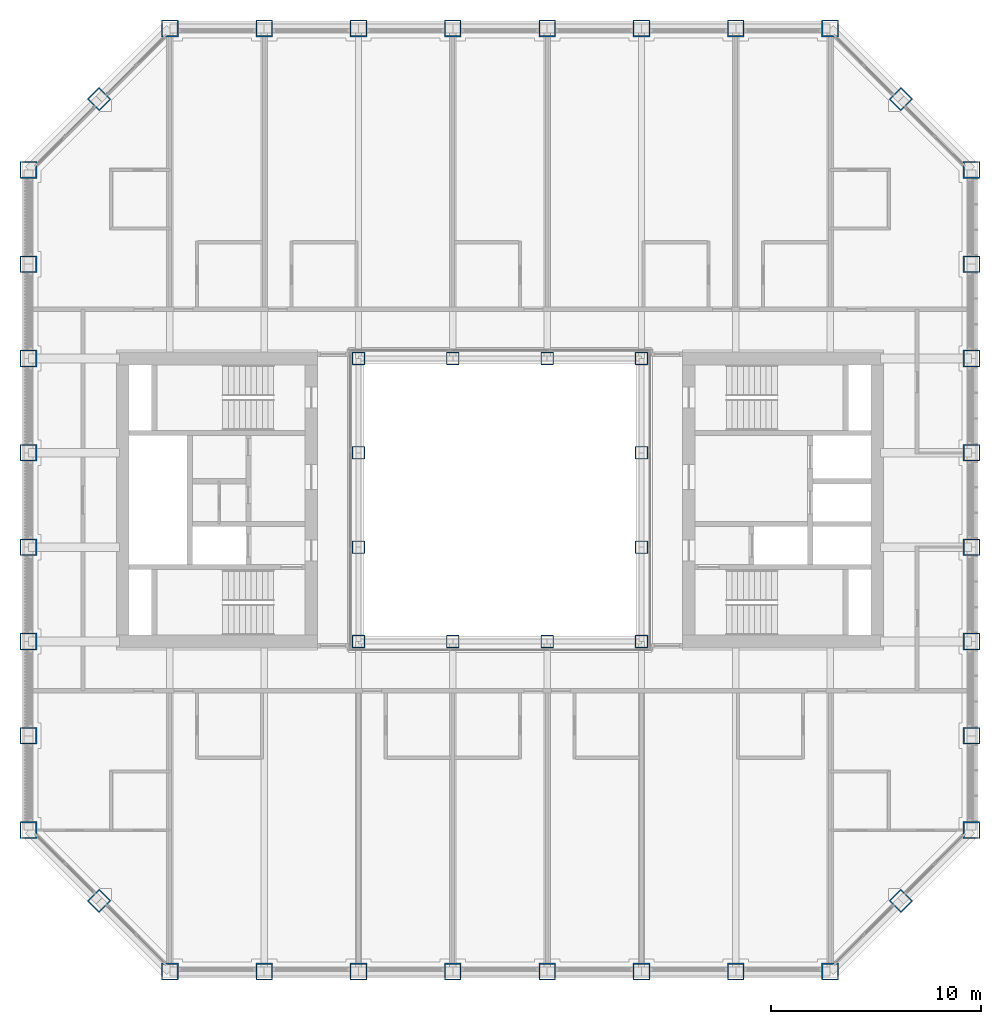
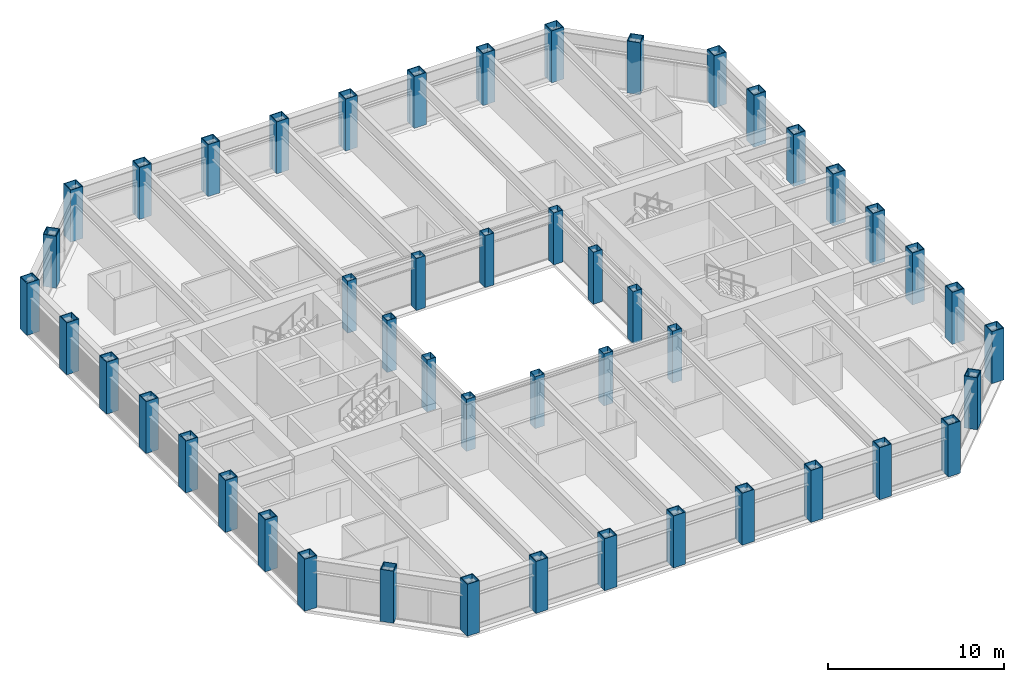
# One storey, part 1 of 17: 48 columns.
"""IFC4 building model written with IfcOpenShell, lengths in metres."""

from ifc_helpers import new_model, si_unit, direction, frame, origin, origin_2d, place, context, subcontext, project, spatial, hollow_rectangle, extrude, material, material_profile, profile_set, type_object, element, save


model = new_model("IFC4")

# Units and contexts
model_context = context("Model", 3, precision=1e-05, world=origin(), true_north=direction((0.0, 1.0)))
body_context = subcontext(model_context, "Body", "Model", "MODEL_VIEW")
ifc_project = project(units=[si_unit("LENGTHUNIT", "METRE"), si_unit("AREAUNIT", "SQUARE_METRE"), si_unit("VOLUMEUNIT", "CUBIC_METRE"), si_unit("PLANEANGLEUNIT", "RADIAN"), si_unit("MASSUNIT", "GRAM", prefix="KILO")], contexts=[model_context])

# Site, building, storey
site_placement = place(None, origin())
site = spatial("IfcSite", under=ifc_project, at=site_placement, CompositionType="ELEMENT")
building_placement = place(site_placement, origin())
building = spatial("IfcBuilding", under=site, at=building_placement, Name="Msasa Ring Tower", CompositionType="ELEMENT")
storey_placement = place(building_placement, frame((0.0, 0.0, 158.0)))
storey = spatial("IfcBuildingStorey", under=building, at=storey_placement, Name="L41", CompositionType="ELEMENT", Elevation=158.0)

# Columns
ifc_material_1 = material(Name="Steel S355", Category="steel")
ifc_material_profile_1 = material_profile(ifc_material_1, hollow_rectangle(XDim=0.60009765625, YDim=0.60009765625, WallThickness=0.030029296875, at=origin_2d()), Name="BOX 600x600x30")
ifc_profile_set_1 = profile_set([ifc_material_profile_1], Name="Steel S355")
column_type_1 = type_object("IfcColumnType", Name="IC5 BOX 600x600x30", PredefinedType="COLUMN", material=ifc_profile_set_1)
for number, where, z_axis, x_axis, name in (
    (1, (-6.75, -6.75, 0.0), (0.0, 0.0, 1.0), (1.0, 0.0, 0.0), "Inner ring column IR-6.75-6.75 L41"),
    (2, (-6.75, -2.25, 0.0), (0.0, 0.0, 1.0), (1.0, 0.0, 0.0), "Inner ring column IR-6.75-2.25 L41"),
    (3, (-6.75, 2.25, 0.0), (0.0, 0.0, 1.0), (1.0, 0.0, 0.0), "Inner ring column IR-6.75+2.25 L41"),
    (4, (-6.75, 6.75, 0.0), (0.0, 0.0, 1.0), (1.0, 0.0, 0.0), "Inner ring column IR-6.75+6.75 L41"),
    (5, (-2.25, -6.75, 0.0), (0.0, 0.0, 1.0), (1.0, 0.0, 0.0), "Inner ring column IR-2.25-6.75 L41"),
    (6, (-2.25, 6.75, 0.0), (0.0, 0.0, 1.0), (1.0, 0.0, 0.0), "Inner ring column IR-2.25+6.75 L41"),
    (7, (2.25, -6.75, 0.0), (0.0, 0.0, 1.0), (1.0, 0.0, 0.0), "Inner ring column IR+2.25-6.75 L41"),
    (8, (2.25, 6.75, 0.0), (0.0, 0.0, 1.0), (1.0, 0.0, 0.0), "Inner ring column IR+2.25+6.75 L41"),
    (9, (6.75, -6.75, 0.0), (0.0, 0.0, 1.0), (1.0, 0.0, 0.0), "Inner ring column IR+6.75-6.75 L41"),
    (10, (6.75, -2.25, 0.0), (0.0, 0.0, 1.0), (1.0, 0.0, 0.0), "Inner ring column IR+6.75-2.25 L41"),
    (11, (6.75, 2.25, 0.0), (0.0, 0.0, 1.0), (1.0, 0.0, 0.0), "Inner ring column IR+6.75+2.25 L41"),
    (12, (6.75, 6.75, 0.0), (0.0, 0.0, 1.0), (1.0, 0.0, 0.0), "Inner ring column IR+6.75+6.75 L41"),
):
    element("IfcColumn", number, at=place(storey_placement, frame(where, z_axis=z_axis, x_axis=x_axis)), inside=storey, type_object=column_type_1, Name=name, PredefinedType="COLUMN", context=body_context, shape_type="SweptSolid", body=[
        extrude(hollow_rectangle(XDim=0.60009765625, YDim=0.60009765625, WallThickness=0.030029296875, at=origin_2d()), origin(), (0.0, 0.0, 1.0), 3.60009765625),
    ])
ifc_material_2 = material(Name="Steel S355", Category="steel")
ifc_material_profile_2 = material_profile(ifc_material_2, hollow_rectangle(XDim=0.800048828125, YDim=0.800048828125, WallThickness=0.050048828125, at=origin_2d()), Name="BOX 800x800x50")
ifc_profile_set_2 = profile_set([ifc_material_profile_2], Name="Steel S355")
column_type_2 = type_object("IfcColumnType", Name="TC4 BOX 800x800x50", PredefinedType="COLUMN", material=ifc_profile_set_2)
for number, where, z_axis, x_axis, name in (
    (13, (-15.75, -22.5, 0.0), (0.0, 0.0, 1.0), (0.0, 1.0, 0.0), "Tube column S-15.75 L41"),
    (14, (-15.75, 22.5, 0.0), (0.0, 0.0, 1.0), (0.0, 1.0, 0.0), "Tube column N-15.75 L41"),
    (15, (22.5, -15.75, 0.0), (0.0, 0.0, 1.0), (1.0, 0.0, 0.0), "Tube column E-15.75 L41"),
    (16, (-22.5, -15.75, 0.0), (0.0, 0.0, 1.0), (1.0, 0.0, 0.0), "Tube column W-15.75 L41"),
    (17, (-11.25, -22.5, 0.0), (0.0, 0.0, 1.0), (0.0, 1.0, 0.0), "Tube column S-11.25 L41"),
    (18, (-11.25, 22.5, 0.0), (0.0, 0.0, 1.0), (0.0, 1.0, 0.0), "Tube column N-11.25 L41"),
    (19, (22.5, -11.25, 0.0), (0.0, 0.0, 1.0), (1.0, 0.0, 0.0), "Tube column E-11.25 L41"),
    (20, (-22.5, -11.25, 0.0), (0.0, 0.0, 1.0), (1.0, 0.0, 0.0), "Tube column W-11.25 L41"),
    (21, (-6.75, -22.5, 0.0), (0.0, 0.0, 1.0), (0.0, 1.0, 0.0), "Tube column S-6.75 L41"),
    (22, (-6.75, 22.5, 0.0), (0.0, 0.0, 1.0), (0.0, 1.0, 0.0), "Tube column N-6.75 L41"),
    (23, (22.5, -6.75, 0.0), (0.0, 0.0, 1.0), (1.0, 0.0, 0.0), "Tube column E-6.75 L41"),
    (24, (-22.5, -6.75, 0.0), (0.0, 0.0, 1.0), (1.0, 0.0, 0.0), "Tube column W-6.75 L41"),
    (25, (-2.25, -22.5, 0.0), (0.0, 0.0, 1.0), (0.0, 1.0, 0.0), "Tube column S-2.25 L41"),
    (26, (-2.25, 22.5, 0.0), (0.0, 0.0, 1.0), (0.0, 1.0, 0.0), "Tube column N-2.25 L41"),
    (27, (22.5, -2.25, 0.0), (0.0, 0.0, 1.0), (1.0, 0.0, 0.0), "Tube column E-2.25 L41"),
    (28, (-22.5, -2.25, 0.0), (0.0, 0.0, 1.0), (1.0, 0.0, 0.0), "Tube column W-2.25 L41"),
    (29, (2.25, -22.5, 0.0), (0.0, 0.0, 1.0), (0.0, 1.0, 0.0), "Tube column S+2.25 L41"),
    (30, (2.25, 22.5, 0.0), (0.0, 0.0, 1.0), (0.0, 1.0, 0.0), "Tube column N+2.25 L41"),
    (31, (22.5, 2.25, 0.0), (0.0, 0.0, 1.0), (1.0, 0.0, 0.0), "Tube column E+2.25 L41"),
    (32, (-22.5, 2.25, 0.0), (0.0, 0.0, 1.0), (1.0, 0.0, 0.0), "Tube column W+2.25 L41"),
    (33, (6.75, -22.5, 0.0), (0.0, 0.0, 1.0), (0.0, 1.0, 0.0), "Tube column S+6.75 L41"),
    (34, (6.75, 22.5, 0.0), (0.0, 0.0, 1.0), (0.0, 1.0, 0.0), "Tube column N+6.75 L41"),
    (35, (22.5, 6.75, 0.0), (0.0, 0.0, 1.0), (1.0, 0.0, 0.0), "Tube column E+6.75 L41"),
    (36, (-22.5, 6.75, 0.0), (0.0, 0.0, 1.0), (1.0, 0.0, 0.0), "Tube column W+6.75 L41"),
    (37, (11.25, -22.5, 0.0), (0.0, 0.0, 1.0), (0.0, 1.0, 0.0), "Tube column S+11.25 L41"),
    (38, (11.25, 22.5, 0.0), (0.0, 0.0, 1.0), (0.0, 1.0, 0.0), "Tube column N+11.25 L41"),
    (39, (22.5, 11.25, 0.0), (0.0, 0.0, 1.0), (1.0, 0.0, 0.0), "Tube column E+11.25 L41"),
    (40, (-22.5, 11.25, 0.0), (0.0, 0.0, 1.0), (1.0, 0.0, 0.0), "Tube column W+11.25 L41"),
    (41, (15.75, -22.5, 0.0), (0.0, 0.0, 1.0), (0.0, 1.0, 0.0), "Tube column S+15.75 L41"),
    (42, (15.75, 22.5, 0.0), (0.0, 0.0, 1.0), (0.0, 1.0, 0.0), "Tube column N+15.75 L41"),
    (43, (22.5, 15.75, 0.0), (0.0, 0.0, 1.0), (1.0, 0.0, 0.0), "Tube column E+15.75 L41"),
    (44, (-22.5, 15.75, 0.0), (0.0, 0.0, 1.0), (1.0, 0.0, 0.0), "Tube column W+15.75 L41"),
    (45, (19.125, -19.125, 0.0), (0.0, 0.0, 1.0), (0.707106781187, -0.707106781187, 0.0), "Tube column SE L41"),
    (46, (19.125, 19.125, 0.0), (0.0, 0.0, 1.0), (0.707106781187, 0.707106781187, 0.0), "Tube column NE L41"),
    (47, (-19.125, 19.125, 0.0), (0.0, 0.0, 1.0), (0.707106781187, -0.707106781187, 0.0), "Tube column NW L41"),
    (48, (-19.125, -19.125, 0.0), (0.0, 0.0, 1.0), (0.707106781187, 0.707106781187, 0.0), "Tube column SW L41"),
):
    element("IfcColumn", number, at=place(storey_placement, frame(where, z_axis=z_axis, x_axis=x_axis)), inside=storey, type_object=column_type_2, Name=name, PredefinedType="COLUMN", context=body_context, shape_type="SweptSolid", body=[
        extrude(hollow_rectangle(XDim=0.800048828125, YDim=0.800048828125, WallThickness=0.050048828125, at=origin_2d()), origin(), (0.0, 0.0, 1.0), 3.60009765625),
    ])

save(model, "model.ifc")
